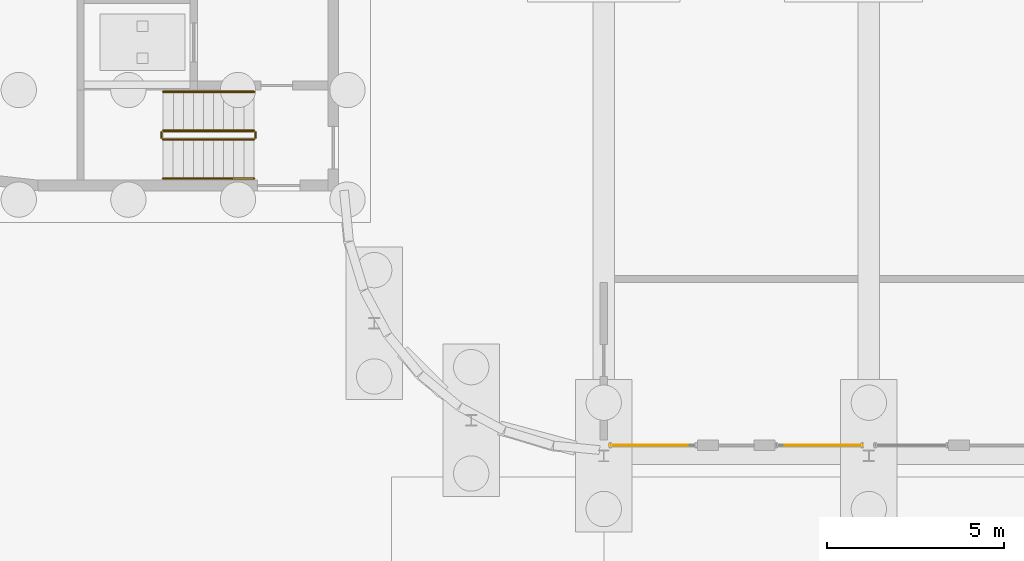
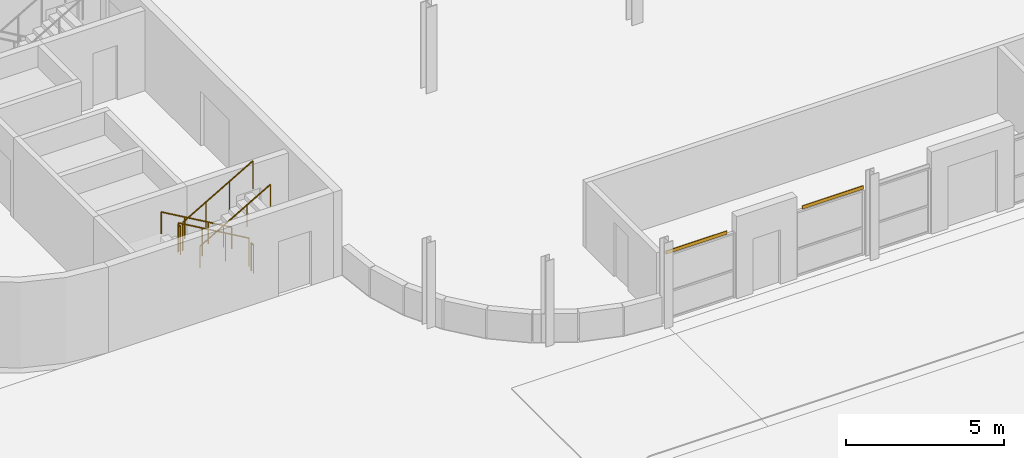
# One storey, part 112 of 130: 6 railings, 2 coverings.
"""IFC4 building model written with IfcOpenShell, lengths in metres."""

import ifcopenshell
import ifcopenshell.guid

model = None  # the IFC model being written
_history = None  # IfcOwnerHistory: only IFC2X3 demands one
_inside = {}  # id of a spatial element -> (the spatial element, [elements in it])
_under = {}  # id of a project, library or spatial element -> (it, [spatial elements below it])
_declared = {}  # id of a project -> (the project, [libraries it declares])
_typed = {}  # id of a type object -> (the type object, [elements of that type])
_made_of = {}  # id of a material, layer set ... -> (it, [elements and type objects made of it])


def new_model(schema):
    """Start an empty IFC model of exactly this schema.

    Asked for "IFC4X3", IfcOpenShell would pick the latest addendum, in which some entities
    have other attributes; the version numbers below select the first issue.
    IFC2X3 requires an IfcOwnerHistory on every rooted entity: one is made here for all.
    """
    global model, _history
    if schema == "IFC4X3":
        model = ifcopenshell.file(schema_version=(4, 3, 0, 0))
    else:
        model = ifcopenshell.file(schema=schema)
    _inside.clear()
    _under.clear()
    _declared.clear()
    _typed.clear()
    _made_of.clear()
    _history = None
    if model.schema == "IFC2X3":
        org = make("IfcOrganization", Name="unknown")
        user = make(
            "IfcPersonAndOrganization",
            ThePerson=make("IfcPerson", FamilyName="unknown"),
            TheOrganization=org,
        )
        app = make(
            "IfcApplication",
            ApplicationDeveloper=org,
            Version="unknown",
            ApplicationFullName="unknown",
            ApplicationIdentifier="unknown",
        )
        _history = make(
            "IfcOwnerHistory",
            OwningUser=user,
            OwningApplication=app,
            ChangeAction="ADDED",
            CreationDate=0,
        )
    return model


def make(cls, **values):
    """One entity of the class cls with the attributes given. An attribute that is None is left unset."""
    return model.create_entity(
        cls, **{name: value for name, value in values.items() if value is not None}
    )


def rooted(cls, **values):
    """An entity with a GlobalId (a new one), such as an element, a storey or a relation."""
    return make(cls, GlobalId=ifcopenshell.guid.new(), OwnerHistory=_history, **values)


def si_unit(unit_type, name, prefix=None):
    """IfcSIUnit, for example si_unit("LENGTHUNIT", "METRE", prefix="MILLI")."""
    return make("IfcSIUnit", UnitType=unit_type, Prefix=prefix, Name=name)


def assignment(units):
    """IfcUnitAssignment: the units of a project."""
    return None if units is None else make("IfcUnitAssignment", Units=units)


def point(xyz):
    """IfcCartesianPoint."""
    return None if xyz is None else make("IfcCartesianPoint", Coordinates=xyz)


def direction(xyz):
    """IfcDirection."""
    return None if xyz is None else make("IfcDirection", DirectionRatios=xyz)


def frame(location, z_axis=None, x_axis=None):
    """IfcAxis2Placement3D, a coordinate frame: its origin and axes. An axis left out is left unset."""
    return make(
        "IfcAxis2Placement3D",
        Location=point(location),
        Axis=direction(z_axis),
        RefDirection=direction(x_axis),
    )


def frame_2d(location, x_axis=None):
    """IfcAxis2Placement2D, a coordinate frame in the plane: its origin and x axis."""
    return make(
        "IfcAxis2Placement2D", Location=point(location), RefDirection=direction(x_axis)
    )


def origin():
    """The frame at (0, 0, 0) with its axes left unset."""
    return frame((0.0, 0.0, 0.0))


def origin_2d():
    """The frame at (0, 0) in the plane with its x axis left unset."""
    return frame_2d((0.0, 0.0))


def place(relative_to, where):
    """IfcLocalPlacement: puts the frame where relative to a parent placement (None: the world)."""
    return make(
        "IfcLocalPlacement", PlacementRelTo=relative_to, RelativePlacement=where
    )


def context(
    kind, dimensions, precision=None, world=None, true_north=None, identifier=None
):
    """IfcGeometricRepresentationContext, for example the 3D "Model" context."""
    return make(
        "IfcGeometricRepresentationContext",
        ContextIdentifier=identifier,
        ContextType=kind,
        CoordinateSpaceDimension=dimensions,
        Precision=precision,
        WorldCoordinateSystem=world,
        TrueNorth=true_north,
    )


def subcontext(parent, identifier, kind, view, scale=None):
    """IfcGeometricRepresentationSubContext, for example "Body" below "Model"."""
    return make(
        "IfcGeometricRepresentationSubContext",
        ContextIdentifier=identifier,
        ContextType=kind,
        ParentContext=parent,
        TargetScale=scale,
        TargetView=view,
    )


def project(units=None, contexts=None):
    """IfcProject with its units and contexts."""
    return rooted(
        "IfcProject",
        Name="project",
        RepresentationContexts=contexts,
        UnitsInContext=assignment(units),
    )


def spatial(cls, under=None, at=None, **own):
    """A site, building, storey or space (cls), placed at a placement, below another one or the project."""
    s = rooted(cls, ObjectPlacement=at, **own)
    if under is not None:
        _under.setdefault(under.id(), (under, []))[1].append(s)
    return s


def profile(cls, at=None, kind="AREA", **sizes):
    """A parametric profile (cls). Its sizes go by their IFC names, for example OverallWidth=200.0."""
    return make(cls, ProfileType=kind, Position=at, **sizes)


def rectangle(**sizes):
    """IfcRectangleProfileDef."""
    return profile("IfcRectangleProfileDef", **sizes)


def circle(**sizes):
    """IfcCircleProfileDef."""
    return profile("IfcCircleProfileDef", **sizes)


def extrude(swept, where, along, depth):
    """IfcExtrudedAreaSolid: the profile swept, set in the frame where, extruded along a direction by depth."""
    return make(
        "IfcExtrudedAreaSolid",
        SweptArea=swept,
        Position=where,
        ExtrudedDirection=direction(along),
        Depth=depth,
    )


def shape(context_of_items, identifier, shape_type, items):
    """IfcShapeRepresentation: the items that make up one representation, for example the "Body"."""
    return make(
        "IfcShapeRepresentation",
        ContextOfItems=context_of_items,
        RepresentationIdentifier=identifier,
        RepresentationType=shape_type,
        Items=items,
    )


def material(Name=None, Category=None):
    """IfcMaterial."""
    return make("IfcMaterial", Name=Name, Category=Category)


def layer(
    of_material, thickness, ventilated=None, Name=None, Category=None, Priority=None
):
    """IfcMaterialLayer: one layer of a wall or slab, of a material (None: an air gap)."""
    return make(
        "IfcMaterialLayer",
        Material=of_material,
        LayerThickness=thickness,
        IsVentilated=ventilated,
        Name=Name,
        Category=Category,
        Priority=Priority,
    )


def layer_set(layers, Name=None):
    """IfcMaterialLayerSet."""
    return make("IfcMaterialLayerSet", MaterialLayers=layers, LayerSetName=Name)


def made_of(thing, what):
    """Note that an element or type object is made of a material, layer set ...; save() writes the relation."""
    if what is not None:
        _made_of.setdefault(what.id(), (what, []))[1].append(thing)
    return thing


def type_object(cls, material=None, **own):
    """A type object (cls), such as IfcWallType, which elements share."""
    return made_of(rooted(cls, **own), material)


def element(
    cls,
    number,
    at=None,
    inside=None,
    cuts=None,
    type_object=None,
    material=None,
    context=None,
    identifier="Body",
    shape_type=None,
    held_by="IfcProductDefinitionShape",
    body=None,
    shapes=None,
    **own,
):
    """One element of the class cls, such as IfcWall. Its Tag is "e" and its number.

    at: its placement. inside: the storey or other place that contains it. cuts: it is an
    opening in that element (IfcRelVoidsElement). A single representation is given by context,
    identifier, shape_type and body (its items); several are given by shapes. held_by: the class
    of the entity that holds the representations. save() writes the other relations.
    """
    e = rooted(cls, Tag="e%d" % number, ObjectPlacement=at, **own)
    if body is not None:
        shapes = [shape(context, identifier, shape_type, body)]
    if shapes is not None:
        e.Representation = make(held_by, Representations=shapes)
    if inside is not None:
        _inside.setdefault(inside.id(), (inside, []))[1].append(e)
    if cuts is not None:
        rooted(
            "IfcRelVoidsElement", RelatingBuildingElement=cuts, RelatedOpeningElement=e
        )
    if type_object is not None:
        _typed.setdefault(type_object.id(), (type_object, []))[1].append(e)
    return made_of(e, material)


def aggregate(whole, parts):
    """IfcRelAggregates: a whole, such as a stair, and the parts it consists of."""
    return rooted("IfcRelAggregates", RelatingObject=whole, RelatedObjects=parts)


def save(model, path):
    """Write the relations noted so far, then the file.

    IfcRelAggregates (storeys below a building ...), IfcRelContainedInSpatialStructure (elements
    in a storey), IfcRelDefinesByType, IfcRelAssociatesMaterial and IfcRelDeclares: one each for
    every whole, place, type object, material and project.
    """
    for whole, parts in _under.values():
        aggregate(whole, parts)
    for where, things in _inside.values():
        rooted(
            "IfcRelContainedInSpatialStructure",
            RelatedElements=things,
            RelatingStructure=where,
        )
    for kind, things in _typed.values():
        rooted("IfcRelDefinesByType", RelatedObjects=things, RelatingType=kind)
    for what, things in _made_of.values():
        rooted("IfcRelAssociatesMaterial", RelatedObjects=things, RelatingMaterial=what)
    for by, libraries in _declared.values():
        rooted("IfcRelDeclares", RelatingContext=by, RelatedDefinitions=libraries)
    model.write(path)


model = new_model("IFC4")

# Units and contexts
model_context = context("Model", 3, precision=1e-05, world=origin(), true_north=direction((0.0, 1.0)))
body_context = subcontext(model_context, "Body", "Model", "MODEL_VIEW")
ifc_project = project(units=[si_unit("LENGTHUNIT", "METRE"), si_unit("AREAUNIT", "SQUARE_METRE"), si_unit("VOLUMEUNIT", "CUBIC_METRE"), si_unit("PLANEANGLEUNIT", "RADIAN"), si_unit("MASSUNIT", "GRAM", prefix="KILO")], contexts=[model_context])

# Site, building, storey
site_placement = place(None, origin())
site = spatial("IfcSite", under=ifc_project, at=site_placement, CompositionType="ELEMENT")
building_placement = place(site_placement, origin())
building = spatial("IfcBuilding", under=site, at=building_placement, Name="Parallax Yard Mobility Hub", CompositionType="ELEMENT")
storey_placement = place(building_placement, origin())
storey = spatial("IfcBuildingStorey", under=building, at=storey_placement, Name="L00", CompositionType="ELEMENT", Elevation=0.0)

# Coverings
ifc_material_1 = material(Name="Insulated aluminium spandrel panel", Category="aluminium")
ifc_layer = layer(ifc_material_1, 0.028076171875)
ifc_layer_set = layer_set([ifc_layer], Name="Curtain wall spandrel closer, insulated aluminium 28")
covering_type = type_object("IfcCoveringType", Name="Curtain wall spandrel closer, insulated aluminium 28", PredefinedType="CLADDING", material=ifc_layer_set)
covering_1_placement = place(storey_placement, frame((31.265380859375, 112.800048828125, 2.5), z_axis=(0.0, 0.0, 1.0), x_axis=(1.0, 0.0, 0.0)))
element("IfcCovering", 1, at=covering_1_placement, inside=storey, type_object=covering_type, Name="Curtain wall CW01 level L00 bay 1 spandrel closer 1", ObjectType="SCREEN", PredefinedType="CLADDING", context=body_context, shape_type="SweptSolid", body=[
    extrude(rectangle(XDim=2.220947265625, YDim=0.028076171875, at=origin_2d()), origin(), (0.0, 0.0, 1.0), 0.126953125),
])
covering_2_placement = place(storey_placement, frame((36.2353515625, 112.800048828125, 2.5), z_axis=(0.0, 0.0, 1.0), x_axis=(1.0, 0.0, 0.0)))
element("IfcCovering", 2, at=covering_2_placement, inside=storey, type_object=covering_type, Name="Curtain wall CW02 level L00 bay 1 spandrel closer 1", ObjectType="SCREEN", PredefinedType="CLADDING", context=body_context, shape_type="SweptSolid", body=[
    extrude(rectangle(XDim=2.222412109375, YDim=0.028076171875, at=origin_2d()), origin(), (0.0, 0.0, 1.0), 0.126953125),
])

# Railings
ifc_material_2 = material(Name="Steel ASTM A36", Category="steel")
railing_type_1 = type_object("IfcRailingType", Name="Stair guard 1100", PredefinedType="GUARDRAIL", material=ifc_material_2)
railing_1_placement = place(storey_placement, frame((20.10009765625, 121.699951171875, 0.1650390625)))
element("IfcRailing", 3, at=railing_1_placement, inside=storey, type_object=railing_type_1, Name="L00 ST1 stair guard 1", PredefinedType="GUARDRAIL", context=body_context, shape_type="SweptSolid", body=[
    extrude(circle(Radius=0.02392578125, at=origin_2d()), frame((0.0, 0.0, 1.076171875), z_axis=(-0.865461999751, 0.0, 0.500974577186), x_axis=(0.0, -1.0, 0.0)), (0.0, 0.0, 1.0), 2.9638671875),
    extrude(circle(Radius=0.02099609375, at=origin_2d()), origin(), (0.0, 0.0, 1.0), 1.052001953125),
    extrude(circle(Radius=0.02099609375, at=origin_2d()), frame((-0.85498046875, 0.0, 0.494873046875)), (0.0, 0.0, 1.0), 1.052001953125),
    extrude(circle(Radius=0.02099609375, at=origin_2d()), frame((-1.710205078125, 0.0, 0.989990234375)), (0.0, 0.0, 1.0), 1.052001953125),
    extrude(circle(Radius=0.02099609375, at=origin_2d()), frame((-2.565185546875, 0.0, 1.48486328125)), (0.0, 0.0, 1.0), 1.052001953125),
])
railing_2_placement = place(storey_placement, frame((17.485107421875, 121.64990234375, 1.64990234375)))
element("IfcRailing", 4, at=railing_2_placement, inside=storey, type_object=railing_type_1, Name="L00 ST1 stair guard 2", PredefinedType="GUARDRAIL", context=body_context, shape_type="SweptSolid", body=[
    extrude(circle(Radius=0.02392578125, at=origin_2d()), frame((0.0, 0.0, 1.076171875), z_axis=(0.0, -1.0, 0.0), x_axis=(1.0, 0.0, 0.0)), (0.0, 0.0, 1.0), 0.14990234375),
    extrude(circle(Radius=0.02099609375, at=origin_2d()), origin(), (0.0, 0.0, 1.0), 1.052001953125),
    extrude(circle(Radius=0.02099609375, at=origin_2d()), frame((0.0, -0.14990234375, 0.0)), (0.0, 0.0, 1.0), 1.052001953125),
])
railing_3_placement = place(storey_placement, frame((17.534912109375, 121.449951171875, 1.81494140625)))
element("IfcRailing", 5, at=railing_3_placement, inside=storey, type_object=railing_type_1, Name="L00 ST1 stair guard 3", PredefinedType="GUARDRAIL", context=body_context, shape_type="SweptSolid", body=[
    extrude(circle(Radius=0.02392578125, at=origin_2d()), frame((0.0, 0.0, 1.076171875), z_axis=(0.865426285481, 0.0, 0.501036270542), x_axis=(0.0, 1.0, 0.0)), (0.0, 0.0, 1.0), 2.964111328125),
    extrude(circle(Radius=0.02099609375, at=origin_2d()), origin(), (0.0, 0.0, 1.0), 1.052001953125),
    extrude(circle(Radius=0.02099609375, at=origin_2d()), frame((0.85498046875, 0.0, 0.4951171875)), (0.0, 0.0, 1.0), 1.052001953125),
    extrude(circle(Radius=0.02099609375, at=origin_2d()), frame((1.710205078125, 0.0, 0.989990234375)), (0.0, 0.0, 1.0), 1.052001953125),
    extrude(circle(Radius=0.02099609375, at=origin_2d()), frame((2.565185546875, 0.0, 1.485107421875)), (0.0, 0.0, 1.0), 1.052001953125),
])
railing_4_placement = place(storey_placement, frame((20.14990234375, 121.64990234375, 0.0)))
element("IfcRailing", 6, at=railing_4_placement, inside=storey, type_object=railing_type_1, Name="L00 ST1 stair guard 4", PredefinedType="GUARDRAIL", context=body_context, shape_type="SweptSolid", body=[
    extrude(circle(Radius=0.02392578125, at=origin_2d()), frame((0.0, 0.0, 1.076171875), z_axis=(0.0, -1.0, 0.0), x_axis=(1.0, 0.0, 0.0)), (0.0, 0.0, 1.0), 0.14990234375),
    extrude(circle(Radius=0.02099609375, at=origin_2d()), origin(), (0.0, 0.0, 1.0), 1.052001953125),
    extrude(circle(Radius=0.02099609375, at=origin_2d()), frame((0.0, -0.14990234375, 0.0)), (0.0, 0.0, 1.0), 1.052001953125),
])
railing_type_2 = type_object("IfcRailingType", Name="Stair handrail", PredefinedType="HANDRAIL", material=ifc_material_2)
railing_5_placement = place(storey_placement, frame((20.10009765625, 122.800048828125, 0.1650390625)))
element("IfcRailing", 7, at=railing_5_placement, inside=storey, type_object=railing_type_2, Name="L00 ST1 stair handrail 1", PredefinedType="HANDRAIL", context=body_context, shape_type="SweptSolid", body=[
    extrude(circle(Radius=0.02392578125, at=origin_2d()), frame((0.0, 0.0, 0.8310546875), z_axis=(-0.865461999751, 0.0, 0.500974577186), x_axis=(0.0, -1.0, 0.0)), (0.0, 0.0, 1.0), 2.9638671875),
    extrude(circle(Radius=0.02099609375, at=origin_2d()), origin(), (0.0, 0.0, 1.0), 0.806884765625),
    extrude(circle(Radius=0.02099609375, at=origin_2d()), frame((-0.85498046875, 0.0, 0.494873046875)), (0.0, 0.0, 1.0), 0.806884765625),
    extrude(circle(Radius=0.02099609375, at=origin_2d()), frame((-1.710205078125, 0.0, 0.989990234375)), (0.0, 0.0, 1.0), 0.806884765625),
    extrude(circle(Radius=0.02099609375, at=origin_2d()), frame((-2.565185546875, 0.0, 1.48486328125)), (0.0, 0.0, 1.0), 0.806884765625),
])
railing_6_placement = place(storey_placement, frame((17.534912109375, 120.35009765625, 1.81494140625)))
element("IfcRailing", 8, at=railing_6_placement, inside=storey, type_object=railing_type_2, Name="L00 ST1 stair handrail 2", PredefinedType="HANDRAIL", context=body_context, shape_type="SweptSolid", body=[
    extrude(circle(Radius=0.02392578125, at=origin_2d()), frame((0.0, 0.0, 0.8310546875), z_axis=(0.865426285481, 0.0, 0.501036270542), x_axis=(0.0, 1.0, 0.0)), (0.0, 0.0, 1.0), 2.964111328125),
    extrude(circle(Radius=0.02099609375, at=origin_2d()), origin(), (0.0, 0.0, 1.0), 0.806884765625),
    extrude(circle(Radius=0.02099609375, at=origin_2d()), frame((0.85498046875, 0.0, 0.4951171875)), (0.0, 0.0, 1.0), 0.806884765625),
    extrude(circle(Radius=0.02099609375, at=origin_2d()), frame((1.710205078125, 0.0, 0.989990234375)), (0.0, 0.0, 1.0), 0.806884765625),
    extrude(circle(Radius=0.02099609375, at=origin_2d()), frame((2.565185546875, 0.0, 1.485107421875)), (0.0, 0.0, 1.0), 0.806884765625),
])

save(model, "model.ifc")
